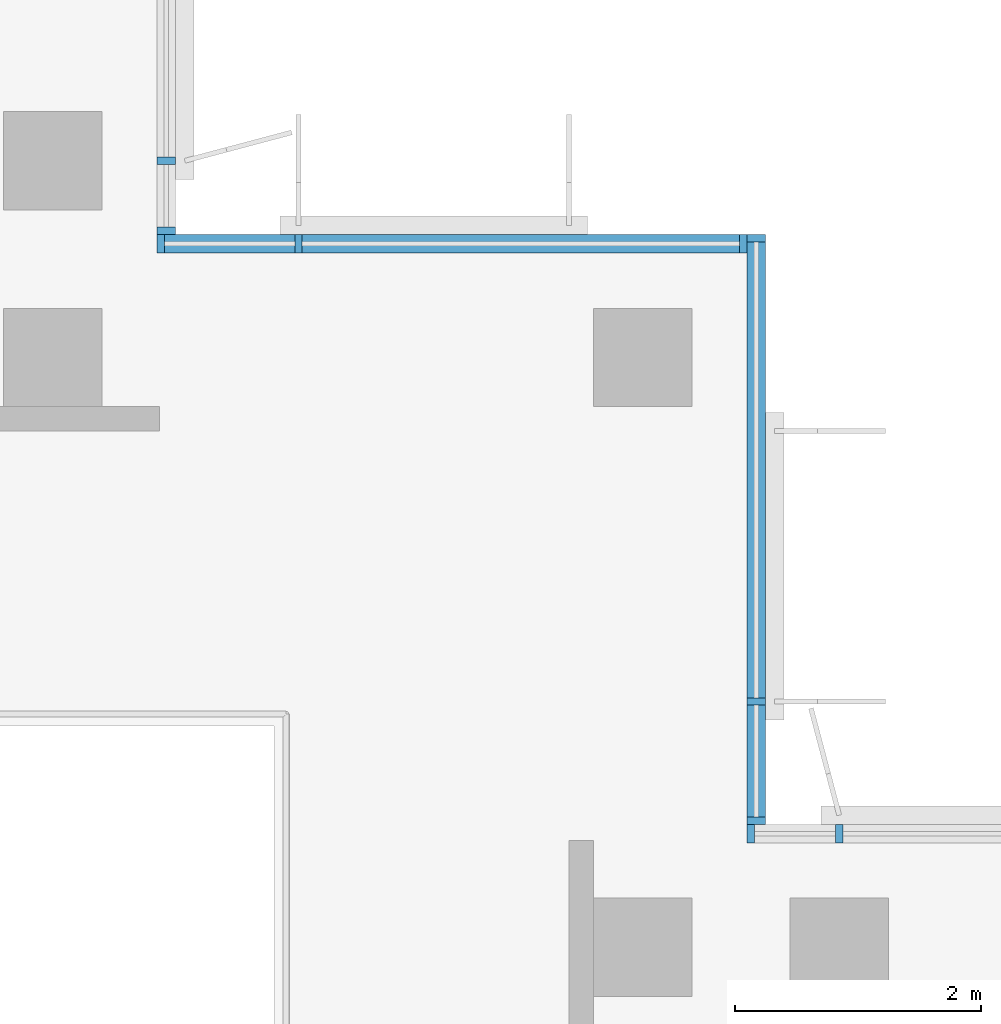
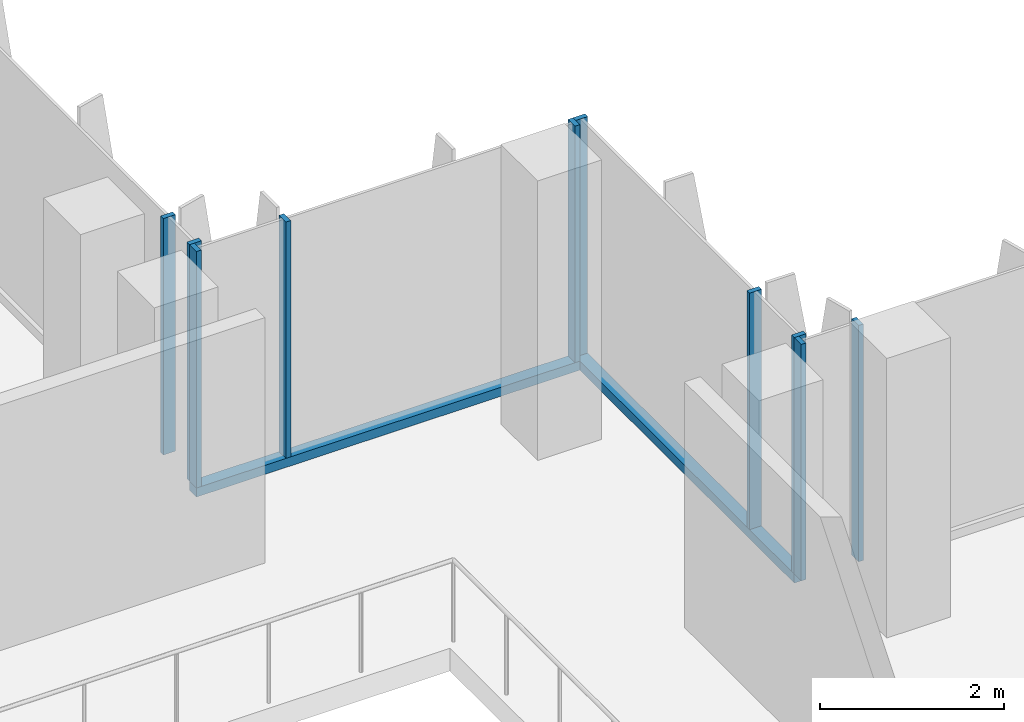
# One storey, part 2 of 15: 12 members, 4 elements without a shape of their own.
"""IFC4 building model written with IfcOpenShell, lengths in metres."""

import ifcopenshell
import ifcopenshell.guid

model = None  # the IFC model being written
_history = None  # IfcOwnerHistory: only IFC2X3 demands one
_inside = {}  # id of a spatial element -> (the spatial element, [elements in it])
_under = {}  # id of a project, library or spatial element -> (it, [spatial elements below it])
_declared = {}  # id of a project -> (the project, [libraries it declares])
_typed = {}  # id of a type object -> (the type object, [elements of that type])
_made_of = {}  # id of a material, layer set ... -> (it, [elements and type objects made of it])


def new_model(schema):
    """Start an empty IFC model of exactly this schema.

    Asked for "IFC4X3", IfcOpenShell would pick the latest addendum, in which some entities
    have other attributes; the version numbers below select the first issue.
    IFC2X3 requires an IfcOwnerHistory on every rooted entity: one is made here for all.
    """
    global model, _history
    if schema == "IFC4X3":
        model = ifcopenshell.file(schema_version=(4, 3, 0, 0))
    else:
        model = ifcopenshell.file(schema=schema)
    _inside.clear()
    _under.clear()
    _declared.clear()
    _typed.clear()
    _made_of.clear()
    _history = None
    if model.schema == "IFC2X3":
        org = make("IfcOrganization", Name="unknown")
        user = make(
            "IfcPersonAndOrganization",
            ThePerson=make("IfcPerson", FamilyName="unknown"),
            TheOrganization=org,
        )
        app = make(
            "IfcApplication",
            ApplicationDeveloper=org,
            Version="unknown",
            ApplicationFullName="unknown",
            ApplicationIdentifier="unknown",
        )
        _history = make(
            "IfcOwnerHistory",
            OwningUser=user,
            OwningApplication=app,
            ChangeAction="ADDED",
            CreationDate=0,
        )
    return model


def make(cls, **values):
    """One entity of the class cls with the attributes given. An attribute that is None is left unset."""
    return model.create_entity(
        cls, **{name: value for name, value in values.items() if value is not None}
    )


def rooted(cls, **values):
    """An entity with a GlobalId (a new one), such as an element, a storey or a relation."""
    return make(cls, GlobalId=ifcopenshell.guid.new(), OwnerHistory=_history, **values)


def si_unit(unit_type, name, prefix=None):
    """IfcSIUnit, for example si_unit("LENGTHUNIT", "METRE", prefix="MILLI")."""
    return make("IfcSIUnit", UnitType=unit_type, Prefix=prefix, Name=name)


def assignment(units):
    """IfcUnitAssignment: the units of a project."""
    return None if units is None else make("IfcUnitAssignment", Units=units)


def point(xyz):
    """IfcCartesianPoint."""
    return None if xyz is None else make("IfcCartesianPoint", Coordinates=xyz)


def direction(xyz):
    """IfcDirection."""
    return None if xyz is None else make("IfcDirection", DirectionRatios=xyz)


def frame(location, z_axis=None, x_axis=None):
    """IfcAxis2Placement3D, a coordinate frame: its origin and axes. An axis left out is left unset."""
    return make(
        "IfcAxis2Placement3D",
        Location=point(location),
        Axis=direction(z_axis),
        RefDirection=direction(x_axis),
    )


def frame_2d(location, x_axis=None):
    """IfcAxis2Placement2D, a coordinate frame in the plane: its origin and x axis."""
    return make(
        "IfcAxis2Placement2D", Location=point(location), RefDirection=direction(x_axis)
    )


def origin():
    """The frame at (0, 0, 0) with its axes left unset."""
    return frame((0.0, 0.0, 0.0))


def origin_2d():
    """The frame at (0, 0) in the plane with its x axis left unset."""
    return frame_2d((0.0, 0.0))


def place(relative_to, where):
    """IfcLocalPlacement: puts the frame where relative to a parent placement (None: the world)."""
    return make(
        "IfcLocalPlacement", PlacementRelTo=relative_to, RelativePlacement=where
    )


def context(
    kind, dimensions, precision=None, world=None, true_north=None, identifier=None
):
    """IfcGeometricRepresentationContext, for example the 3D "Model" context."""
    return make(
        "IfcGeometricRepresentationContext",
        ContextIdentifier=identifier,
        ContextType=kind,
        CoordinateSpaceDimension=dimensions,
        Precision=precision,
        WorldCoordinateSystem=world,
        TrueNorth=true_north,
    )


def subcontext(parent, identifier, kind, view, scale=None):
    """IfcGeometricRepresentationSubContext, for example "Body" below "Model"."""
    return make(
        "IfcGeometricRepresentationSubContext",
        ContextIdentifier=identifier,
        ContextType=kind,
        ParentContext=parent,
        TargetScale=scale,
        TargetView=view,
    )


def project(units=None, contexts=None):
    """IfcProject with its units and contexts."""
    return rooted(
        "IfcProject",
        Name="project",
        RepresentationContexts=contexts,
        UnitsInContext=assignment(units),
    )


def spatial(cls, under=None, at=None, **own):
    """A site, building, storey or space (cls), placed at a placement, below another one or the project."""
    s = rooted(cls, ObjectPlacement=at, **own)
    if under is not None:
        _under.setdefault(under.id(), (under, []))[1].append(s)
    return s


def profile(cls, at=None, kind="AREA", **sizes):
    """A parametric profile (cls). Its sizes go by their IFC names, for example OverallWidth=200.0."""
    return make(cls, ProfileType=kind, Position=at, **sizes)


def rectangle(**sizes):
    """IfcRectangleProfileDef."""
    return profile("IfcRectangleProfileDef", **sizes)


def extrude(swept, where, along, depth):
    """IfcExtrudedAreaSolid: the profile swept, set in the frame where, extruded along a direction by depth."""
    return make(
        "IfcExtrudedAreaSolid",
        SweptArea=swept,
        Position=where,
        ExtrudedDirection=direction(along),
        Depth=depth,
    )


def shape(context_of_items, identifier, shape_type, items):
    """IfcShapeRepresentation: the items that make up one representation, for example the "Body"."""
    return make(
        "IfcShapeRepresentation",
        ContextOfItems=context_of_items,
        RepresentationIdentifier=identifier,
        RepresentationType=shape_type,
        Items=items,
    )


def source(mapping_origin, context_of_items, identifier, shape_type, items):
    """IfcRepresentationMap: a shape defined once, which mapped items show again and again."""
    return make(
        "IfcRepresentationMap",
        MappingOrigin=mapping_origin,
        MappedRepresentation=shape(context_of_items, identifier, shape_type, items),
    )


def transform(
    local_origin,
    x_axis=None,
    y_axis=None,
    z_axis=None,
    scale=None,
    scale2=None,
    scale3=None,
    uniform=True,
):
    """IfcCartesianTransformationOperator3D, or its non-uniform kind. x_axis, y_axis, z_axis: its Axis1, 2, 3."""
    if uniform:
        return make(
            "IfcCartesianTransformationOperator3D",
            Axis1=direction(x_axis),
            Axis2=direction(y_axis),
            LocalOrigin=point(local_origin),
            Scale=scale,
            Axis3=direction(z_axis),
        )
    return make(
        "IfcCartesianTransformationOperator3DnonUniform",
        Axis1=direction(x_axis),
        Axis2=direction(y_axis),
        LocalOrigin=point(local_origin),
        Scale=scale,
        Axis3=direction(z_axis),
        Scale2=scale2,
        Scale3=scale3,
    )


def mapped(mapping_source, mapping_target):
    """IfcMappedItem: shows the shape of a source again, moved by a transform."""
    return make(
        "IfcMappedItem", MappingSource=mapping_source, MappingTarget=mapping_target
    )


def material(Name=None, Category=None):
    """IfcMaterial."""
    return make("IfcMaterial", Name=Name, Category=Category)


def material_profile(
    of_material, cross_section, Name=None, Category=None, Priority=None
):
    """IfcMaterialProfile: a cross section and its material."""
    return make(
        "IfcMaterialProfile",
        Name=Name,
        Material=of_material,
        Profile=cross_section,
        Priority=Priority,
        Category=Category,
    )


def profile_set(profiles, Name=None, composite=None):
    """IfcMaterialProfileSet."""
    return make(
        "IfcMaterialProfileSet",
        Name=Name,
        MaterialProfiles=profiles,
        CompositeProfile=composite,
    )


def made_of(thing, what):
    """Note that an element or type object is made of a material, layer set ...; save() writes the relation."""
    if what is not None:
        _made_of.setdefault(what.id(), (what, []))[1].append(thing)
    return thing


def type_object(cls, material=None, **own):
    """A type object (cls), such as IfcWallType, which elements share."""
    return made_of(rooted(cls, **own), material)


def element(
    cls,
    number,
    at=None,
    inside=None,
    cuts=None,
    type_object=None,
    material=None,
    context=None,
    identifier="Body",
    shape_type=None,
    held_by="IfcProductDefinitionShape",
    body=None,
    shapes=None,
    **own,
):
    """One element of the class cls, such as IfcWall. Its Tag is "e" and its number.

    at: its placement. inside: the storey or other place that contains it. cuts: it is an
    opening in that element (IfcRelVoidsElement). A single representation is given by context,
    identifier, shape_type and body (its items); several are given by shapes. held_by: the class
    of the entity that holds the representations. save() writes the other relations.
    """
    e = rooted(cls, Tag="e%d" % number, ObjectPlacement=at, **own)
    if body is not None:
        shapes = [shape(context, identifier, shape_type, body)]
    if shapes is not None:
        e.Representation = make(held_by, Representations=shapes)
    if inside is not None:
        _inside.setdefault(inside.id(), (inside, []))[1].append(e)
    if cuts is not None:
        rooted(
            "IfcRelVoidsElement", RelatingBuildingElement=cuts, RelatedOpeningElement=e
        )
    if type_object is not None:
        _typed.setdefault(type_object.id(), (type_object, []))[1].append(e)
    return made_of(e, material)


def aggregate(whole, parts):
    """IfcRelAggregates: a whole, such as a stair, and the parts it consists of."""
    return rooted("IfcRelAggregates", RelatingObject=whole, RelatedObjects=parts)


def save(model, path):
    """Write the relations noted so far, then the file.

    IfcRelAggregates (storeys below a building ...), IfcRelContainedInSpatialStructure (elements
    in a storey), IfcRelDefinesByType, IfcRelAssociatesMaterial and IfcRelDeclares: one each for
    every whole, place, type object, material and project.
    """
    for whole, parts in _under.values():
        aggregate(whole, parts)
    for where, things in _inside.values():
        rooted(
            "IfcRelContainedInSpatialStructure",
            RelatedElements=things,
            RelatingStructure=where,
        )
    for kind, things in _typed.values():
        rooted("IfcRelDefinesByType", RelatedObjects=things, RelatingType=kind)
    for what, things in _made_of.values():
        rooted("IfcRelAssociatesMaterial", RelatedObjects=things, RelatingMaterial=what)
    for by, libraries in _declared.values():
        rooted("IfcRelDeclares", RelatingContext=by, RelatedDefinitions=libraries)
    model.write(path)


model = new_model("IFC4")

# Units and contexts
model_context = context("Model", 3, precision=1e-05, world=origin(), true_north=direction((0.0, 1.0)))
body_context = subcontext(model_context, "Body", "Model", "MODEL_VIEW")
ifc_project = project(units=[si_unit("LENGTHUNIT", "METRE"), si_unit("AREAUNIT", "SQUARE_METRE"), si_unit("VOLUMEUNIT", "CUBIC_METRE"), si_unit("PLANEANGLEUNIT", "RADIAN"), si_unit("MASSUNIT", "GRAM", prefix="KILO")], contexts=[model_context])

# Site, building, storey
site_placement = place(None, origin())
site = spatial("IfcSite", under=ifc_project, at=site_placement, CompositionType="ELEMENT")
building_placement = place(site_placement, origin())
building = spatial("IfcBuilding", under=site, at=building_placement, Name="Kemantara Hotel Tower", CompositionType="ELEMENT")
storey_placement = place(building_placement, frame((0.0, 0.0, 305.5)))
storey = spatial("IfcBuildingStorey", under=building, at=storey_placement, Name="L77", CompositionType="ELEMENT", Elevation=305.5)

# Curtain wall, member
ifc_material_1 = material(Name="Low-E tinted double insulated glass 36 mm", Category="glass")
curtain_wall_type = type_object("IfcCurtainWallType", Name="TOWER CURTAIN WALL, FRONT FACES", PredefinedType="USERDEFINED", material=ifc_material_1)
curtain_wall_1_placement = place(storey_placement, origin())
curtain_wall_1 = element("IfcCurtainWall", 1, at=curtain_wall_1_placement, inside=storey, type_object=curtain_wall_type, Name="CW4 L77 T4-R13-1", ObjectType="TOWER CURTAIN WALL, FRONT FACES", PredefinedType="USERDEFINED")
ifc_material_2 = material(Name="Aluminium 6063-T6 bronze anodised", Category="aluminium")
ifc_material_profile_1 = material_profile(ifc_material_2, rectangle(XDim=0.14990234375, YDim=0.1201171875, at=origin_2d()), Name="TOWER CURTAIN WALL, FRONT FACES TRANSOM")
ifc_profile_set_1 = profile_set([ifc_material_profile_1], Name="Aluminium 6063-T6 bronze anodised")
member_type_1 = type_object("IfcMemberType", Name="TOWER CURTAIN WALL, FRONT FACES TRANSOM", PredefinedType="USERDEFINED", material=ifc_profile_set_1)
member_1_placement = place(storey_placement, frame((26.72509765625, 22.0, 0.06005859375), z_axis=(0.0, 1.0, 0.0), x_axis=(-1.0, 0.0, 0.0)))
member_1 = element("IfcMember", 2, at=member_1_placement, type_object=member_type_1, Name="CW4 sill transom T4-R13-1", ObjectType="TRANSOM", PredefinedType="USERDEFINED", context=body_context, shape_type="SweptSolid", body=[
    extrude(rectangle(XDim=0.14990234375, YDim=0.1201171875, at=origin_2d()), origin(), (0.0, 0.0, 1.0), 4.800048828125),
])

curtain_wall_2_placement = place(storey_placement, origin())
curtain_wall_2 = element("IfcCurtainWall", 3, at=curtain_wall_2_placement, inside=storey, type_object=curtain_wall_type, Name="CW4 L77 T4-R14-1", ObjectType="TOWER CURTAIN WALL, FRONT FACES", PredefinedType="USERDEFINED")
member_2_placement = place(storey_placement, frame((26.64990234375, 26.72509765625, 0.06005859375), z_axis=(-1.0, 0.0, 0.0), x_axis=(0.0, -1.0, 0.0)))
member_2 = element("IfcMember", 4, at=member_2_placement, type_object=member_type_1, Name="CW4 sill transom T4-R14-1", ObjectType="TRANSOM", PredefinedType="USERDEFINED", context=body_context, shape_type="SweptSolid", body=[
    extrude(rectangle(XDim=0.14990234375, YDim=0.1201171875, at=origin_2d()), origin(), (0.0, 0.0, 1.0), 4.7998046875),
])

# Curtain wall, members
curtain_wall_3_placement = place(storey_placement, origin())
curtain_wall_3 = element("IfcCurtainWall", 5, at=curtain_wall_3_placement, inside=storey, type_object=curtain_wall_type, Name="CW4 L77 T4-R12-1", ObjectType="TOWER CURTAIN WALL, FRONT FACES", PredefinedType="USERDEFINED")
ifc_material_profile_2 = material_profile(ifc_material_2, rectangle(XDim=0.14990234375, YDim=0.06005859375, at=origin_2d()), Name="TOWER CURTAIN WALL, FRONT FACES MULLION")
ifc_profile_set_2 = profile_set([ifc_material_profile_2], Name="Aluminium 6063-T6 bronze anodised")
member_type_2 = type_object("IfcMemberType", Name="TOWER CURTAIN WALL, FRONT FACES MULLION", PredefinedType="MULLION", material=ifc_profile_set_2)
shared_shape = source(origin(), body_context, "Body", "SweptSolid", [
    extrude(rectangle(XDim=0.14990234375, YDim=0.06005859375, at=origin_2d()), origin(), (0.0, 0.0, 1.0), 3.1298828125),
])
member_3_placement = place(storey_placement, frame((27.39990234375, 21.925048828125, 0.1201171875), z_axis=(0.0, 0.0, 1.0), x_axis=(0.0, -1.0, 0.0)))
member_3 = element("IfcMember", 6, at=member_3_placement, type_object=member_type_2, Name="CW4 mullion T4-R12-1.5", PredefinedType="MULLION", context=body_context, shape_type="MappedRepresentation", body=[
    mapped(shared_shape, transform((0.0, 0.0, 0.0))),
])
member_4_placement = place(storey_placement, frame((26.679931640625, 21.925048828125, 0.1201171875), z_axis=(0.0, 0.0, 1.0), x_axis=(0.0, -1.0, 0.0)))
member_4 = element("IfcMember", 7, at=member_4_placement, type_object=member_type_2, Name="CW4 mullion T4-R12-1.6", PredefinedType="MULLION", context=body_context, shape_type="MappedRepresentation", body=[
    mapped(shared_shape, transform((0.0, 0.0, 0.0))),
])
aggregate(curtain_wall_3, [member_3, member_4])

# Member
member_5_placement = place(storey_placement, frame((26.72509765625, 22.030029296875, 0.1201171875), z_axis=(0.0, 0.0, 1.0), x_axis=(-1.0, 0.0, 0.0)))
member_5 = element("IfcMember", 8, at=member_5_placement, type_object=member_type_2, Name="CW4 mullion T4-R13-1.1", PredefinedType="MULLION", context=body_context, shape_type="MappedRepresentation", body=[
    mapped(shared_shape, transform((0.0, 0.0, 0.0))),
])

member_6_placement = place(storey_placement, frame((26.72509765625, 23.0, 0.1201171875), z_axis=(0.0, 0.0, 1.0), x_axis=(-1.0, 0.0, 0.0)))
member_6 = element("IfcMember", 9, at=member_6_placement, type_object=member_type_2, Name="CW4 mullion T4-R13-1.2", PredefinedType="MULLION", context=body_context, shape_type="MappedRepresentation", body=[
    mapped(shared_shape, transform((0.0, 0.0, 0.0))),
])

member_7_placement = place(storey_placement, frame((26.72509765625, 26.77001953125, 0.1201171875), z_axis=(0.0, 0.0, 1.0), x_axis=(-1.0, 0.0, 0.0)))
member_7 = element("IfcMember", 10, at=member_7_placement, type_object=member_type_2, Name="CW4 mullion T4-R13-1.3", PredefinedType="MULLION", context=body_context, shape_type="MappedRepresentation", body=[
    mapped(shared_shape, transform((0.0, 0.0, 0.0))),
])

aggregate(curtain_wall_1, [member_1, member_5, member_6, member_7])

member_8_placement = place(storey_placement, frame((26.6201171875, 26.72509765625, 0.1201171875), z_axis=(0.0, 0.0, 1.0), x_axis=(0.0, -1.0, 0.0)))
member_8 = element("IfcMember", 11, at=member_8_placement, type_object=member_type_2, Name="CW4 mullion T4-R14-1.1", PredefinedType="MULLION", context=body_context, shape_type="MappedRepresentation", body=[
    mapped(shared_shape, transform((0.0, 0.0, 0.0))),
])

member_9_placement = place(storey_placement, frame((23.0, 26.72509765625, 0.1201171875), z_axis=(0.0, 0.0, 1.0), x_axis=(0.0, -1.0, 0.0)))
member_9 = element("IfcMember", 12, at=member_9_placement, type_object=member_type_2, Name="CW4 mullion T4-R14-1.2", PredefinedType="MULLION", context=body_context, shape_type="MappedRepresentation", body=[
    mapped(shared_shape, transform((0.0, 0.0, 0.0))),
])

member_10_placement = place(storey_placement, frame((21.8798828125, 26.72509765625, 0.1201171875), z_axis=(0.0, 0.0, 1.0), x_axis=(0.0, -1.0, 0.0)))
member_10 = element("IfcMember", 13, at=member_10_placement, type_object=member_type_2, Name="CW4 mullion T4-R14-1.3", PredefinedType="MULLION", context=body_context, shape_type="MappedRepresentation", body=[
    mapped(shared_shape, transform((0.0, 0.0, 0.0))),
])

aggregate(curtain_wall_2, [member_2, member_8, member_9, member_10])

# Curtain wall, members
curtain_wall_4_placement = place(storey_placement, origin())
curtain_wall_4 = element("IfcCurtainWall", 14, at=curtain_wall_4_placement, inside=storey, type_object=curtain_wall_type, Name="CW4 L77 T4-R15-1", ObjectType="TOWER CURTAIN WALL, FRONT FACES", PredefinedType="USERDEFINED")
member_11_placement = place(storey_placement, frame((21.925048828125, 26.830078125, 0.1201171875), z_axis=(0.0, 0.0, 1.0), x_axis=(-1.0, 0.0, 0.0)))
member_11 = element("IfcMember", 15, at=member_11_placement, type_object=member_type_2, Name="CW4 mullion T4-R15-1.1", PredefinedType="MULLION", context=body_context, shape_type="MappedRepresentation", body=[
    mapped(shared_shape, transform((0.0, 0.0, 0.0))),
])
member_12_placement = place(storey_placement, frame((21.925048828125, 27.39990234375, 0.1201171875), z_axis=(0.0, 0.0, 1.0), x_axis=(-1.0, 0.0, 0.0)))
member_12 = element("IfcMember", 16, at=member_12_placement, type_object=member_type_2, Name="CW4 mullion T4-R15-1.2", PredefinedType="MULLION", context=body_context, shape_type="MappedRepresentation", body=[
    mapped(shared_shape, transform((0.0, 0.0, 0.0))),
])
aggregate(curtain_wall_4, [member_11, member_12])

save(model, "model.ifc")
